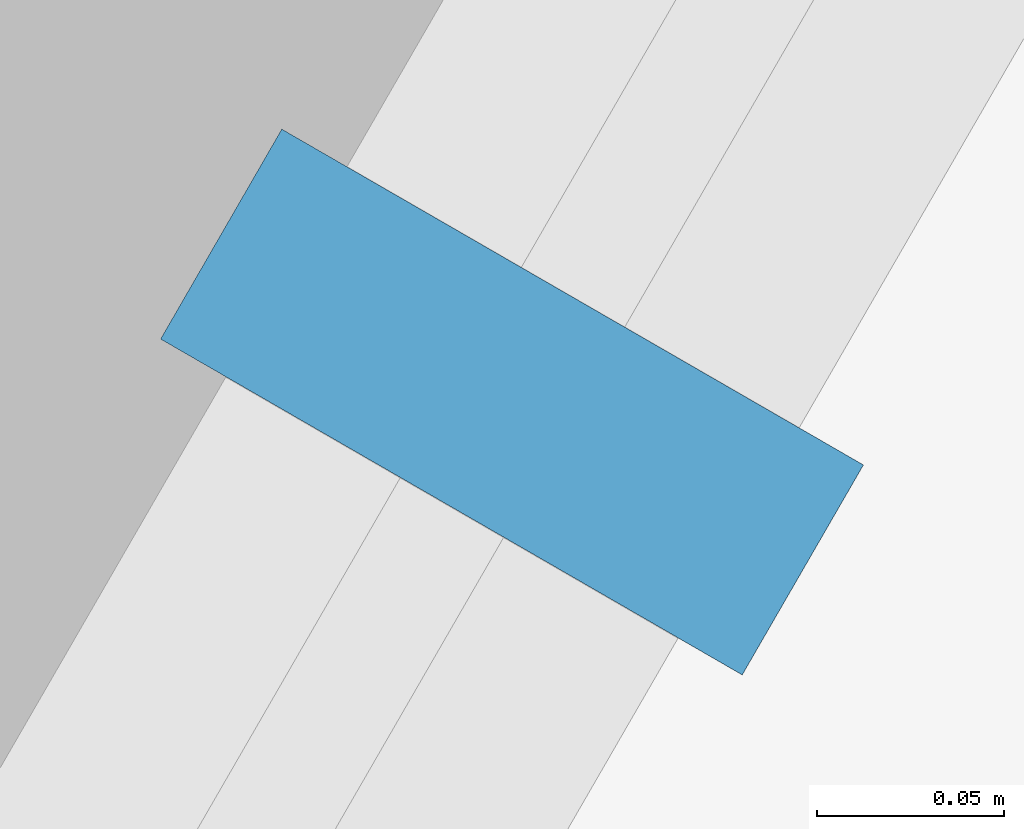
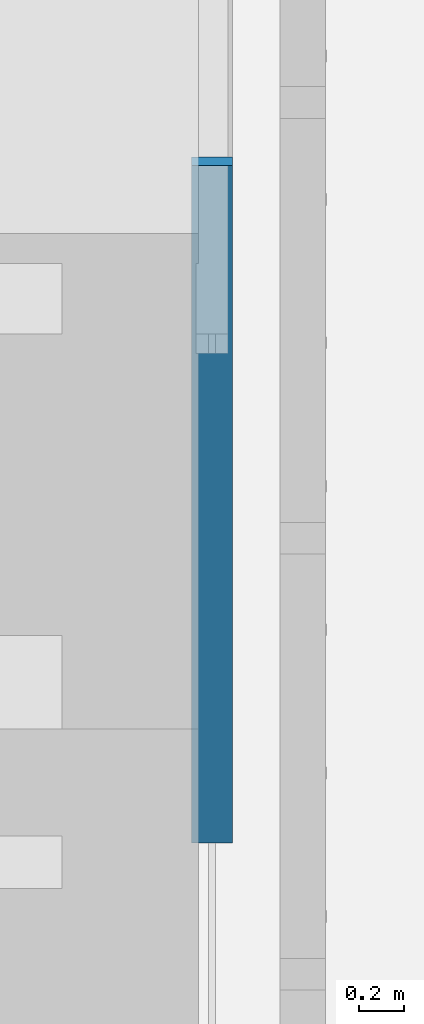
# One storey, part 78 of 238: 1 member, 1 element without a shape of its own.
"""IFC4 building model written with IfcOpenShell, lengths in metres."""

from ifc_helpers import new_model, si_unit, direction, frame, origin, origin_2d, place, context, subcontext, project, spatial, rectangle, extrude, material, material_profile, profile_set, type_object, element, aggregate, save


model = new_model("IFC4")

# Units and contexts
model_context = context("Model", 3, precision=1e-05, world=origin(), true_north=direction((0.0, 1.0)))
body_context = subcontext(model_context, "Body", "Model", "MODEL_VIEW")
ifc_project = project(units=[si_unit("LENGTHUNIT", "METRE"), si_unit("AREAUNIT", "SQUARE_METRE"), si_unit("VOLUMEUNIT", "CUBIC_METRE"), si_unit("PLANEANGLEUNIT", "RADIAN"), si_unit("MASSUNIT", "GRAM", prefix="KILO")], contexts=[model_context])

# Site, building, storey
site_placement = place(None, origin())
site = spatial("IfcSite", under=ifc_project, at=site_placement, CompositionType="ELEMENT")
building_placement = place(site_placement, origin())
building = spatial("IfcBuilding", under=site, at=building_placement, Name="Sandreach Pilgrim Tower", CompositionType="ELEMENT")
storey_placement = place(building_placement, frame((0.0, 0.0, 96.800048828125)))
storey = spatial("IfcBuildingStorey", under=building, at=storey_placement, Name="L23", CompositionType="ELEMENT", Elevation=96.800048828125)

# Curtain wall, member
ifc_material_1 = material(Name="Aluminium framed curtain wall", Category="aluminium")
curtain_wall_type = type_object("IfcCurtainWallType", Name="Hotel tower curtain wall", PredefinedType="NOTDEFINED", material=ifc_material_1)
curtain_wall_placement = place(storey_placement, origin())
curtain_wall = element("IfcCurtainWall", 1, at=curtain_wall_placement, inside=storey, type_object=curtain_wall_type, Name="CW-2 L23 SE", PredefinedType="NOTDEFINED")
ifc_material_2 = material(Name="Aluminium extrusion", Category="aluminium")
ifc_material_profile = material_profile(ifc_material_2, rectangle(XDim=0.06494140625, YDim=0.179931640625, at=origin_2d()), Name="CW-2M 65X180")
ifc_profile_set = profile_set([ifc_material_profile], Name="Aluminium extrusion")
member_type = type_object("IfcMemberType", Name="CW-2 mullion", PredefinedType="MULLION", material=ifc_profile_set)
member_placement = place(storey_placement, frame((14.346435546875, -20.138671875, 0.0), z_axis=(0.0, 0.0, 1.0), x_axis=(-0.5, -0.866025403784, 0.0)))
member = element("IfcMember", 2, at=member_placement, type_object=member_type, Name="CW-2 mullion 8", PredefinedType="MULLION", context=body_context, shape_type="SweptSolid", body=[
    extrude(rectangle(XDim=0.06494140625, YDim=0.179931640625, at=origin_2d()), origin(), (0.0, 0.0, 1.0), 3.639892578125),
])
aggregate(curtain_wall, [member])

save(model, "model.ifc")
